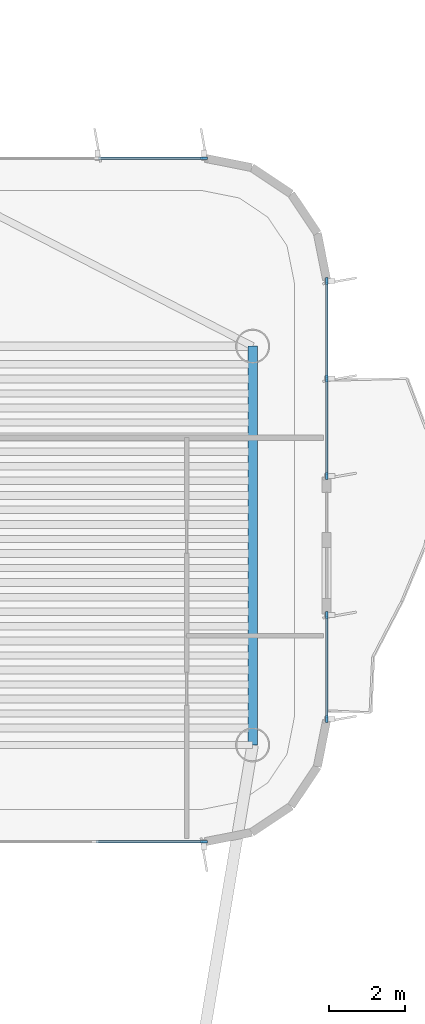
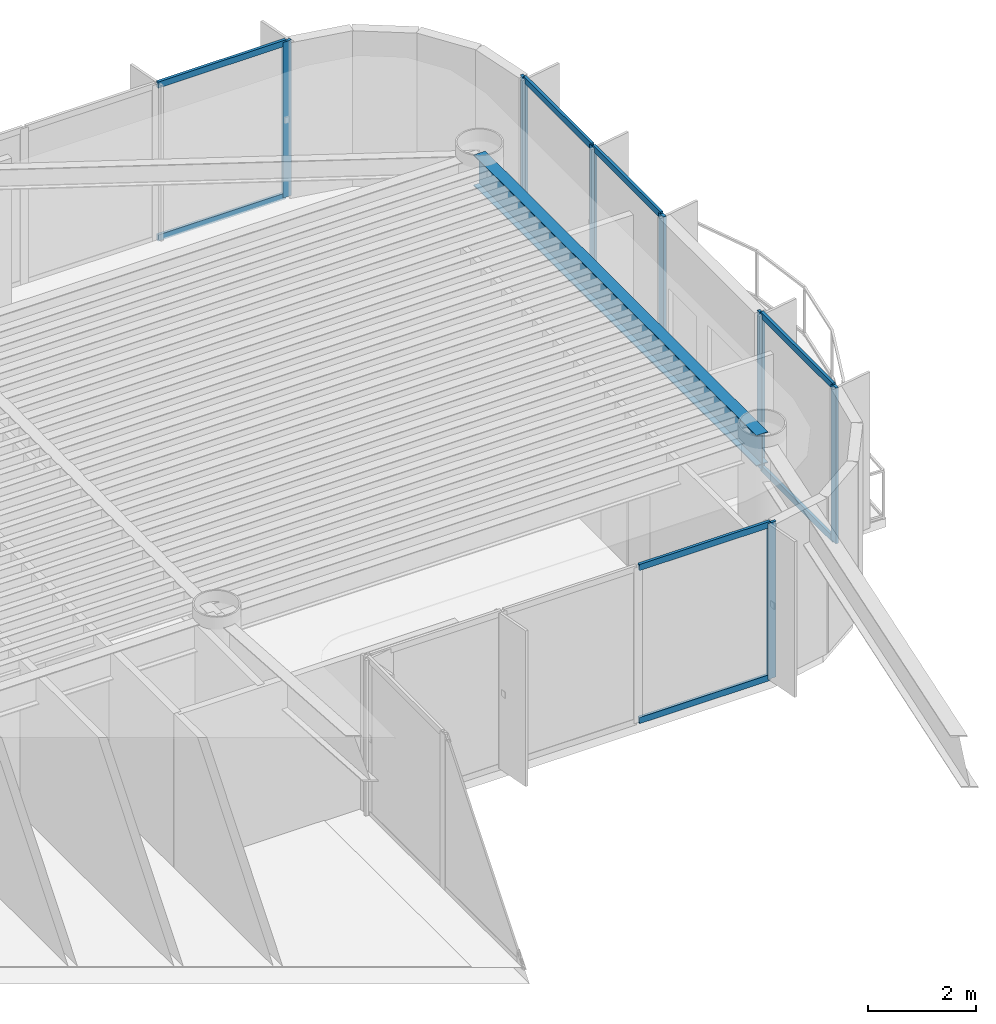
# One storey, part 8 of 15: 17 members, 1 beam, 4 elements without a shape of their own.
"""IFC4 building model written with IfcOpenShell, lengths in metres."""

import ifcopenshell
import ifcopenshell.guid

model = None  # the IFC model being written
_history = None  # IfcOwnerHistory: only IFC2X3 demands one
_inside = {}  # id of a spatial element -> (the spatial element, [elements in it])
_under = {}  # id of a project, library or spatial element -> (it, [spatial elements below it])
_declared = {}  # id of a project -> (the project, [libraries it declares])
_typed = {}  # id of a type object -> (the type object, [elements of that type])
_made_of = {}  # id of a material, layer set ... -> (it, [elements and type objects made of it])


def new_model(schema):
    """Start an empty IFC model of exactly this schema.

    Asked for "IFC4X3", IfcOpenShell would pick the latest addendum, in which some entities
    have other attributes; the version numbers below select the first issue.
    IFC2X3 requires an IfcOwnerHistory on every rooted entity: one is made here for all.
    """
    global model, _history
    if schema == "IFC4X3":
        model = ifcopenshell.file(schema_version=(4, 3, 0, 0))
    else:
        model = ifcopenshell.file(schema=schema)
    _inside.clear()
    _under.clear()
    _declared.clear()
    _typed.clear()
    _made_of.clear()
    _history = None
    if model.schema == "IFC2X3":
        org = make("IfcOrganization", Name="unknown")
        user = make(
            "IfcPersonAndOrganization",
            ThePerson=make("IfcPerson", FamilyName="unknown"),
            TheOrganization=org,
        )
        app = make(
            "IfcApplication",
            ApplicationDeveloper=org,
            Version="unknown",
            ApplicationFullName="unknown",
            ApplicationIdentifier="unknown",
        )
        _history = make(
            "IfcOwnerHistory",
            OwningUser=user,
            OwningApplication=app,
            ChangeAction="ADDED",
            CreationDate=0,
        )
    return model


def make(cls, **values):
    """One entity of the class cls with the attributes given. An attribute that is None is left unset."""
    return model.create_entity(
        cls, **{name: value for name, value in values.items() if value is not None}
    )


def rooted(cls, **values):
    """An entity with a GlobalId (a new one), such as an element, a storey or a relation."""
    return make(cls, GlobalId=ifcopenshell.guid.new(), OwnerHistory=_history, **values)


def si_unit(unit_type, name, prefix=None):
    """IfcSIUnit, for example si_unit("LENGTHUNIT", "METRE", prefix="MILLI")."""
    return make("IfcSIUnit", UnitType=unit_type, Prefix=prefix, Name=name)


def assignment(units):
    """IfcUnitAssignment: the units of a project."""
    return None if units is None else make("IfcUnitAssignment", Units=units)


def point(xyz):
    """IfcCartesianPoint."""
    return None if xyz is None else make("IfcCartesianPoint", Coordinates=xyz)


def direction(xyz):
    """IfcDirection."""
    return None if xyz is None else make("IfcDirection", DirectionRatios=xyz)


def frame(location, z_axis=None, x_axis=None):
    """IfcAxis2Placement3D, a coordinate frame: its origin and axes. An axis left out is left unset."""
    return make(
        "IfcAxis2Placement3D",
        Location=point(location),
        Axis=direction(z_axis),
        RefDirection=direction(x_axis),
    )


def frame_2d(location, x_axis=None):
    """IfcAxis2Placement2D, a coordinate frame in the plane: its origin and x axis."""
    return make(
        "IfcAxis2Placement2D", Location=point(location), RefDirection=direction(x_axis)
    )


def origin():
    """The frame at (0, 0, 0) with its axes left unset."""
    return frame((0.0, 0.0, 0.0))


def origin_2d():
    """The frame at (0, 0) in the plane with its x axis left unset."""
    return frame_2d((0.0, 0.0))


def place(relative_to, where):
    """IfcLocalPlacement: puts the frame where relative to a parent placement (None: the world)."""
    return make(
        "IfcLocalPlacement", PlacementRelTo=relative_to, RelativePlacement=where
    )


def context(
    kind, dimensions, precision=None, world=None, true_north=None, identifier=None
):
    """IfcGeometricRepresentationContext, for example the 3D "Model" context."""
    return make(
        "IfcGeometricRepresentationContext",
        ContextIdentifier=identifier,
        ContextType=kind,
        CoordinateSpaceDimension=dimensions,
        Precision=precision,
        WorldCoordinateSystem=world,
        TrueNorth=true_north,
    )


def subcontext(parent, identifier, kind, view, scale=None):
    """IfcGeometricRepresentationSubContext, for example "Body" below "Model"."""
    return make(
        "IfcGeometricRepresentationSubContext",
        ContextIdentifier=identifier,
        ContextType=kind,
        ParentContext=parent,
        TargetScale=scale,
        TargetView=view,
    )


def project(units=None, contexts=None):
    """IfcProject with its units and contexts."""
    return rooted(
        "IfcProject",
        Name="project",
        RepresentationContexts=contexts,
        UnitsInContext=assignment(units),
    )


def spatial(cls, under=None, at=None, **own):
    """A site, building, storey or space (cls), placed at a placement, below another one or the project."""
    s = rooted(cls, ObjectPlacement=at, **own)
    if under is not None:
        _under.setdefault(under.id(), (under, []))[1].append(s)
    return s


def profile(cls, at=None, kind="AREA", **sizes):
    """A parametric profile (cls). Its sizes go by their IFC names, for example OverallWidth=200.0."""
    return make(cls, ProfileType=kind, Position=at, **sizes)


def rectangle(**sizes):
    """IfcRectangleProfileDef."""
    return profile("IfcRectangleProfileDef", **sizes)


def i_section(**sizes):
    """IfcIShapeProfileDef."""
    return profile("IfcIShapeProfileDef", **sizes)


def extrude(swept, where, along, depth):
    """IfcExtrudedAreaSolid: the profile swept, set in the frame where, extruded along a direction by depth."""
    return make(
        "IfcExtrudedAreaSolid",
        SweptArea=swept,
        Position=where,
        ExtrudedDirection=direction(along),
        Depth=depth,
    )


def shape(context_of_items, identifier, shape_type, items):
    """IfcShapeRepresentation: the items that make up one representation, for example the "Body"."""
    return make(
        "IfcShapeRepresentation",
        ContextOfItems=context_of_items,
        RepresentationIdentifier=identifier,
        RepresentationType=shape_type,
        Items=items,
    )


def source(mapping_origin, context_of_items, identifier, shape_type, items):
    """IfcRepresentationMap: a shape defined once, which mapped items show again and again."""
    return make(
        "IfcRepresentationMap",
        MappingOrigin=mapping_origin,
        MappedRepresentation=shape(context_of_items, identifier, shape_type, items),
    )


def transform(
    local_origin,
    x_axis=None,
    y_axis=None,
    z_axis=None,
    scale=None,
    scale2=None,
    scale3=None,
    uniform=True,
):
    """IfcCartesianTransformationOperator3D, or its non-uniform kind. x_axis, y_axis, z_axis: its Axis1, 2, 3."""
    if uniform:
        return make(
            "IfcCartesianTransformationOperator3D",
            Axis1=direction(x_axis),
            Axis2=direction(y_axis),
            LocalOrigin=point(local_origin),
            Scale=scale,
            Axis3=direction(z_axis),
        )
    return make(
        "IfcCartesianTransformationOperator3DnonUniform",
        Axis1=direction(x_axis),
        Axis2=direction(y_axis),
        LocalOrigin=point(local_origin),
        Scale=scale,
        Axis3=direction(z_axis),
        Scale2=scale2,
        Scale3=scale3,
    )


def mapped(mapping_source, mapping_target):
    """IfcMappedItem: shows the shape of a source again, moved by a transform."""
    return make(
        "IfcMappedItem", MappingSource=mapping_source, MappingTarget=mapping_target
    )


def material(Name=None, Category=None):
    """IfcMaterial."""
    return make("IfcMaterial", Name=Name, Category=Category)


def layer(
    of_material, thickness, ventilated=None, Name=None, Category=None, Priority=None
):
    """IfcMaterialLayer: one layer of a wall or slab, of a material (None: an air gap)."""
    return make(
        "IfcMaterialLayer",
        Material=of_material,
        LayerThickness=thickness,
        IsVentilated=ventilated,
        Name=Name,
        Category=Category,
        Priority=Priority,
    )


def layer_set(layers, Name=None):
    """IfcMaterialLayerSet."""
    return make("IfcMaterialLayerSet", MaterialLayers=layers, LayerSetName=Name)


def material_profile(
    of_material, cross_section, Name=None, Category=None, Priority=None
):
    """IfcMaterialProfile: a cross section and its material."""
    return make(
        "IfcMaterialProfile",
        Name=Name,
        Material=of_material,
        Profile=cross_section,
        Priority=Priority,
        Category=Category,
    )


def profile_set(profiles, Name=None, composite=None):
    """IfcMaterialProfileSet."""
    return make(
        "IfcMaterialProfileSet",
        Name=Name,
        MaterialProfiles=profiles,
        CompositeProfile=composite,
    )


def made_of(thing, what):
    """Note that an element or type object is made of a material, layer set ...; save() writes the relation."""
    if what is not None:
        _made_of.setdefault(what.id(), (what, []))[1].append(thing)
    return thing


def type_object(cls, material=None, **own):
    """A type object (cls), such as IfcWallType, which elements share."""
    return made_of(rooted(cls, **own), material)


def element(
    cls,
    number,
    at=None,
    inside=None,
    cuts=None,
    type_object=None,
    material=None,
    context=None,
    identifier="Body",
    shape_type=None,
    held_by="IfcProductDefinitionShape",
    body=None,
    shapes=None,
    **own,
):
    """One element of the class cls, such as IfcWall. Its Tag is "e" and its number.

    at: its placement. inside: the storey or other place that contains it. cuts: it is an
    opening in that element (IfcRelVoidsElement). A single representation is given by context,
    identifier, shape_type and body (its items); several are given by shapes. held_by: the class
    of the entity that holds the representations. save() writes the other relations.
    """
    e = rooted(cls, Tag="e%d" % number, ObjectPlacement=at, **own)
    if body is not None:
        shapes = [shape(context, identifier, shape_type, body)]
    if shapes is not None:
        e.Representation = make(held_by, Representations=shapes)
    if inside is not None:
        _inside.setdefault(inside.id(), (inside, []))[1].append(e)
    if cuts is not None:
        rooted(
            "IfcRelVoidsElement", RelatingBuildingElement=cuts, RelatedOpeningElement=e
        )
    if type_object is not None:
        _typed.setdefault(type_object.id(), (type_object, []))[1].append(e)
    return made_of(e, material)


def aggregate(whole, parts):
    """IfcRelAggregates: a whole, such as a stair, and the parts it consists of."""
    return rooted("IfcRelAggregates", RelatingObject=whole, RelatedObjects=parts)


def save(model, path):
    """Write the relations noted so far, then the file.

    IfcRelAggregates (storeys below a building ...), IfcRelContainedInSpatialStructure (elements
    in a storey), IfcRelDefinesByType, IfcRelAssociatesMaterial and IfcRelDeclares: one each for
    every whole, place, type object, material and project.
    """
    for whole, parts in _under.values():
        aggregate(whole, parts)
    for where, things in _inside.values():
        rooted(
            "IfcRelContainedInSpatialStructure",
            RelatedElements=things,
            RelatingStructure=where,
        )
    for kind, things in _typed.values():
        rooted("IfcRelDefinesByType", RelatedObjects=things, RelatingType=kind)
    for what, things in _made_of.values():
        rooted("IfcRelAssociatesMaterial", RelatedObjects=things, RelatingMaterial=what)
    for by, libraries in _declared.values():
        rooted("IfcRelDeclares", RelatingContext=by, RelatedDefinitions=libraries)
    model.write(path)


model = new_model("IFC4")

# Units and contexts
model_context = context("Model", 3, precision=1e-05, world=origin(), true_north=direction((0.0, 1.0)))
body_context = subcontext(model_context, "Body", "Model", "MODEL_VIEW")
ifc_project = project(units=[si_unit("LENGTHUNIT", "METRE"), si_unit("AREAUNIT", "SQUARE_METRE"), si_unit("VOLUMEUNIT", "CUBIC_METRE"), si_unit("PLANEANGLEUNIT", "RADIAN"), si_unit("MASSUNIT", "GRAM", prefix="KILO")], contexts=[model_context])

# Site, building, storey
site_placement = place(None, origin())
site = spatial("IfcSite", under=ifc_project, at=site_placement, CompositionType="ELEMENT")
building_placement = place(site_placement, origin())
building = spatial("IfcBuilding", under=site, at=building_placement, Name="Brelvock Crest Care Tower", CompositionType="ELEMENT")
storey_placement = place(building_placement, frame((0.0, 0.0, 272.159912109375)))
storey = spatial("IfcBuildingStorey", under=building, at=storey_placement, Name="L69", CompositionType="ELEMENT", Elevation=272.159912109375)

# Beam
ifc_material_1 = material(Name="Steel Grade 350", Category="steel")
ifc_material_profile_1 = material_profile(ifc_material_1, i_section(OverallWidth=0.25, OverallDepth=0.699951171875, WebThickness=0.011962890625, FlangeThickness=0.02001953125, at=origin_2d()), Name="700WB150")
ifc_profile_set_1 = profile_set([ifc_material_profile_1], Name="Steel Grade 350")
beam_type = type_object("IfcBeamType", Name="BM-G4", PredefinedType="BEAM", material=ifc_profile_set_1)
shared_shape_1 = source(origin(), body_context, "Body", "SweptSolid", [
    extrude(i_section(OverallWidth=0.25, OverallDepth=0.699951171875, WebThickness=0.011962890625, FlangeThickness=0.02001953125, at=origin_2d()), origin(), (0.0, 0.0, 1.0), 10.5),
])
beam_placement = place(storey_placement, frame((52.35009765625, 43.949951171875, 3.18017578125), z_axis=(0.0, 1.0, 0.0), x_axis=(-1.0, 0.0, 0.0)))
element("IfcBeam", 1, at=beam_placement, inside=storey, type_object=beam_type, Name="BM-TWR-L69-02", PredefinedType="BEAM", context=body_context, shape_type="MappedRepresentation", body=[
    mapped(shared_shape_1, transform((0.0, 0.0, 0.0), x_axis=(1.0, 0.0, 0.0), y_axis=(0.0, 1.0, 0.0), z_axis=(0.0, 0.0, 1.0), scale=1.0)),
])

# Curtain wall, member
ifc_material_2 = material(Name="Dark Glass Double Glazed Low-E", Category="glass")
ifc_layer = layer(ifc_material_2, 0.239990234375, Name="CWS-5")
ifc_layer_set = layer_set([ifc_layer], Name="Dark Glass Double Glazed Low-E")
curtain_wall_type = type_object("IfcCurtainWallType", Name="CWS-5", PredefinedType="NOTDEFINED", material=ifc_layer_set)
curtain_wall_1_placement = place(storey_placement, origin())
curtain_wall_1 = element("IfcCurtainWall", 2, at=curtain_wall_1_placement, inside=storey, type_object=curtain_wall_type, Name="L69 Curtain Wall E34", PredefinedType="NOTDEFINED")
ifc_material_3 = material(Name="Aluminium 6063-T6", Category="aluminium")
ifc_material_profile_2 = material_profile(ifc_material_3, rectangle(XDim=0.06005859375, YDim=0.179931640625, at=origin_2d()), Name="ALU60x180")
ifc_profile_set_2 = profile_set([ifc_material_profile_2], Name="Aluminium 6063-T6")
member_type_1 = type_object("IfcMemberType", Name="CWM-2", PredefinedType="MULLION", material=ifc_profile_set_2)
shared_shape_2 = source(origin(), body_context, "Body", "SweptSolid", [
    extrude(rectangle(XDim=0.06005859375, YDim=0.179931640625, at=origin_2d()), origin(), (0.0, 0.0, 1.0), 3.530029296875),
])
member_1_placement = place(storey_placement, frame((51.070068359375, 59.39990234375, 0.0), z_axis=(0.0, 0.0, 1.0), x_axis=(0.0, 1.0, 0.0)))
member_1 = element("IfcMember", 3, at=member_1_placement, type_object=member_type_1, Name="CW-5 mullion 4", PredefinedType="MULLION", context=body_context, shape_type="MappedRepresentation", body=[
    mapped(shared_shape_2, transform((0.0, 0.0, 0.0), x_axis=(1.0, 0.0, 0.0), y_axis=(0.0, 1.0, 0.0), z_axis=(0.0, 0.0, 1.0), scale=1.0)),
])

# Curtain wall, members
curtain_wall_2_placement = place(storey_placement, origin())
curtain_wall_2 = element("IfcCurtainWall", 4, at=curtain_wall_2_placement, inside=storey, type_object=curtain_wall_type, Name="L69 Curtain Wall E39A", PredefinedType="NOTDEFINED")
member_2_placement = place(storey_placement, frame((54.300048828125, 56.169921875, 0.0), z_axis=(0.0, 0.0, 1.0), x_axis=(1.0, 0.0, 0.0)))
member_2 = element("IfcMember", 5, at=member_2_placement, type_object=member_type_1, Name="CW-5 mullion 1", PredefinedType="MULLION", context=body_context, shape_type="MappedRepresentation", body=[
    mapped(shared_shape_2, transform((0.0, 0.0, 0.0), x_axis=(1.0, 0.0, 0.0), y_axis=(0.0, 1.0, 0.0), z_axis=(0.0, 0.0, 1.0), scale=1.0)),
])
member_3_placement = place(storey_placement, frame((54.300048828125, 53.60009765625, 0.0), z_axis=(0.0, 0.0, 1.0), x_axis=(1.0, 0.0, 0.0)))
member_3 = element("IfcMember", 6, at=member_3_placement, type_object=member_type_1, Name="CW-5 mullion 2", PredefinedType="MULLION", context=body_context, shape_type="MappedRepresentation", body=[
    mapped(shared_shape_2, transform((0.0, 0.0, 0.0), x_axis=(1.0, 0.0, 0.0), y_axis=(0.0, 1.0, 0.0), z_axis=(0.0, 0.0, 1.0), scale=1.0)),
])
member_4_placement = place(storey_placement, frame((54.300048828125, 51.030029296875, 0.0), z_axis=(0.0, 0.0, 1.0), x_axis=(1.0, 0.0, 0.0)))
member_4 = element("IfcMember", 7, at=member_4_placement, type_object=member_type_1, Name="CW-5 mullion 3", PredefinedType="MULLION", context=body_context, shape_type="MappedRepresentation", body=[
    mapped(shared_shape_2, transform((0.0, 0.0, 0.0), x_axis=(1.0, 0.0, 0.0), y_axis=(0.0, 1.0, 0.0), z_axis=(0.0, 0.0, 1.0), scale=1.0)),
])

curtain_wall_3_placement = place(storey_placement, origin())
curtain_wall_3 = element("IfcCurtainWall", 8, at=curtain_wall_3_placement, inside=storey, type_object=curtain_wall_type, Name="L69 Curtain Wall E39B", PredefinedType="NOTDEFINED")
member_5_placement = place(storey_placement, frame((54.300048828125, 47.3701171875, 0.0), z_axis=(0.0, 0.0, 1.0), x_axis=(1.0, 0.0, 0.0)))
member_5 = element("IfcMember", 9, at=member_5_placement, type_object=member_type_1, Name="CW-5 mullion 1", PredefinedType="MULLION", context=body_context, shape_type="MappedRepresentation", body=[
    mapped(shared_shape_2, transform((0.0, 0.0, 0.0), x_axis=(1.0, 0.0, 0.0), y_axis=(0.0, 1.0, 0.0), z_axis=(0.0, 0.0, 1.0), scale=1.0)),
])
member_6_placement = place(storey_placement, frame((54.300048828125, 44.6298828125, 0.0), z_axis=(0.0, 0.0, 1.0), x_axis=(1.0, 0.0, 0.0)))
member_6 = element("IfcMember", 10, at=member_6_placement, type_object=member_type_1, Name="CW-5 mullion 2", PredefinedType="MULLION", context=body_context, shape_type="MappedRepresentation", body=[
    mapped(shared_shape_2, transform((0.0, 0.0, 0.0), x_axis=(1.0, 0.0, 0.0), y_axis=(0.0, 1.0, 0.0), z_axis=(0.0, 0.0, 1.0), scale=1.0)),
])

# Curtain wall, member
curtain_wall_4_placement = place(storey_placement, origin())
curtain_wall_4 = element("IfcCurtainWall", 11, at=curtain_wall_4_placement, inside=storey, type_object=curtain_wall_type, Name="L69 Curtain Wall E44", PredefinedType="NOTDEFINED")
member_7_placement = place(storey_placement, frame((51.070068359375, 41.39990234375, 0.0), z_axis=(0.0, 0.0, 1.0), x_axis=(0.0, -1.0, 0.0)))
member_7 = element("IfcMember", 12, at=member_7_placement, type_object=member_type_1, Name="CW-5 mullion 1", PredefinedType="MULLION", context=body_context, shape_type="MappedRepresentation", body=[
    mapped(shared_shape_2, transform((0.0, 0.0, 0.0), x_axis=(1.0, 0.0, 0.0), y_axis=(0.0, 1.0, 0.0), z_axis=(0.0, 0.0, 1.0), scale=1.0)),
])

# Member
ifc_material_profile_3 = material_profile(ifc_material_3, rectangle(XDim=0.06005859375, YDim=0.139892578125, at=origin_2d()), Name="ALU60x140")
ifc_profile_set_3 = profile_set([ifc_material_profile_3], Name="Aluminium 6063-T6")
member_type_2 = type_object("IfcMemberType", Name="CWT-2", PredefinedType="USERDEFINED", material=ifc_profile_set_3)
shared_shape_3 = source(origin(), body_context, "Body", "SweptSolid", [
    extrude(rectangle(XDim=0.06005859375, YDim=0.139892578125, at=origin_2d()), origin(), (0.0, 0.0, 1.0), 2.510009765625),
])
member_8_placement = place(storey_placement, frame((54.300048828125, 56.139892578125, 0.030029296875), z_axis=(0.0, -1.0, 0.0), x_axis=(1.0, 0.0, 0.0)))
member_8 = element("IfcMember", 13, at=member_8_placement, type_object=member_type_2, Name="CW-5 transom 1.1", ObjectType="TRANSOM", PredefinedType="USERDEFINED", context=body_context, shape_type="MappedRepresentation", body=[
    mapped(shared_shape_3, transform((0.0, 0.0, 0.0), x_axis=(1.0, 0.0, 0.0), y_axis=(0.0, 1.0, 0.0), z_axis=(0.0, 0.0, 1.0), scale=1.0)),
])

member_9_placement = place(storey_placement, frame((54.300048828125, 56.139892578125, 3.5), z_axis=(0.0, -1.0, 0.0), x_axis=(1.0, 0.0, 0.0)))
member_9 = element("IfcMember", 14, at=member_9_placement, type_object=member_type_2, Name="CW-5 transom 1.2", ObjectType="TRANSOM", PredefinedType="USERDEFINED", context=body_context, shape_type="MappedRepresentation", body=[
    mapped(shared_shape_3, transform((0.0, 0.0, 0.0), x_axis=(1.0, 0.0, 0.0), y_axis=(0.0, 1.0, 0.0), z_axis=(0.0, 0.0, 1.0), scale=1.0)),
])

member_10_placement = place(storey_placement, frame((54.300048828125, 53.570068359375, 0.030029296875), z_axis=(0.0, -1.0, 0.0), x_axis=(1.0, 0.0, 0.0)))
member_10 = element("IfcMember", 15, at=member_10_placement, type_object=member_type_2, Name="CW-5 transom 2.1", ObjectType="TRANSOM", PredefinedType="USERDEFINED", context=body_context, shape_type="MappedRepresentation", body=[
    mapped(shared_shape_3, transform((0.0, 0.0, 0.0), x_axis=(1.0, 0.0, 0.0), y_axis=(0.0, 1.0, 0.0), z_axis=(0.0, 0.0, 1.0), scale=1.0)),
])

member_11_placement = place(storey_placement, frame((54.300048828125, 53.570068359375, 3.5), z_axis=(0.0, -1.0, 0.0), x_axis=(1.0, 0.0, 0.0)))
member_11 = element("IfcMember", 16, at=member_11_placement, type_object=member_type_2, Name="CW-5 transom 2.2", ObjectType="TRANSOM", PredefinedType="USERDEFINED", context=body_context, shape_type="MappedRepresentation", body=[
    mapped(shared_shape_3, transform((0.0, 0.0, 0.0), x_axis=(1.0, 0.0, 0.0), y_axis=(0.0, 1.0, 0.0), z_axis=(0.0, 0.0, 1.0), scale=1.0)),
])

aggregate(curtain_wall_2, [member_2, member_3, member_4, member_8, member_9, member_10, member_11])

shared_shape_4 = source(origin(), body_context, "Body", "SweptSolid", [
    extrude(rectangle(XDim=0.06005859375, YDim=0.139892578125, at=origin_2d()), origin(), (0.0, 0.0, 1.0), 2.81005859375),
])
member_12_placement = place(storey_placement, frame((51.0400390625, 41.39990234375, 0.030029296875), z_axis=(-1.0, 0.0, 0.0), x_axis=(0.0, -1.0, 0.0)))
member_12 = element("IfcMember", 17, at=member_12_placement, type_object=member_type_2, Name="CW-5 transom 1.1", ObjectType="TRANSOM", PredefinedType="USERDEFINED", context=body_context, shape_type="MappedRepresentation", body=[
    mapped(shared_shape_4, transform((0.0, 0.0, 0.0), x_axis=(1.0, 0.0, 0.0), y_axis=(0.0, 1.0, 0.0), z_axis=(0.0, 0.0, 1.0), scale=1.0)),
])

member_13_placement = place(storey_placement, frame((51.0400390625, 41.39990234375, 3.5), z_axis=(-1.0, 0.0, 0.0), x_axis=(0.0, -1.0, 0.0)))
member_13 = element("IfcMember", 18, at=member_13_placement, type_object=member_type_2, Name="CW-5 transom 1.2", ObjectType="TRANSOM", PredefinedType="USERDEFINED", context=body_context, shape_type="MappedRepresentation", body=[
    mapped(shared_shape_4, transform((0.0, 0.0, 0.0), x_axis=(1.0, 0.0, 0.0), y_axis=(0.0, 1.0, 0.0), z_axis=(0.0, 0.0, 1.0), scale=1.0)),
])

aggregate(curtain_wall_4, [member_7, member_12, member_13])

shared_shape_5 = source(origin(), body_context, "Body", "SweptSolid", [
    extrude(rectangle(XDim=0.06005859375, YDim=0.139892578125, at=origin_2d()), origin(), (0.0, 0.0, 1.0), 2.743408203125),
])
member_14_placement = place(storey_placement, frame((48.296630859375, 59.39990234375, 0.030029296875), z_axis=(1.0, 0.0, 0.0), x_axis=(0.0, 1.0, 0.0)))
member_14 = element("IfcMember", 19, at=member_14_placement, type_object=member_type_2, Name="CW-5 transom 3.1", ObjectType="TRANSOM", PredefinedType="USERDEFINED", context=body_context, shape_type="MappedRepresentation", body=[
    mapped(shared_shape_5, transform((0.0, 0.0, 0.0), x_axis=(1.0, 0.0, 0.0), y_axis=(0.0, 1.0, 0.0), z_axis=(0.0, 0.0, 1.0), scale=1.0)),
])

member_15_placement = place(storey_placement, frame((48.296630859375, 59.39990234375, 3.5), z_axis=(1.0, 0.0, 0.0), x_axis=(0.0, 1.0, 0.0)))
member_15 = element("IfcMember", 20, at=member_15_placement, type_object=member_type_2, Name="CW-5 transom 3.2", ObjectType="TRANSOM", PredefinedType="USERDEFINED", context=body_context, shape_type="MappedRepresentation", body=[
    mapped(shared_shape_5, transform((0.0, 0.0, 0.0), x_axis=(1.0, 0.0, 0.0), y_axis=(0.0, 1.0, 0.0), z_axis=(0.0, 0.0, 1.0), scale=1.0)),
])

aggregate(curtain_wall_1, [member_1, member_14, member_15])

shared_shape_6 = source(origin(), body_context, "Body", "SweptSolid", [
    extrude(rectangle(XDim=0.06005859375, YDim=0.139892578125, at=origin_2d()), origin(), (0.0, 0.0, 1.0), 2.68017578125),
])
member_16_placement = place(storey_placement, frame((54.300048828125, 47.340087890625, 0.030029296875), z_axis=(0.0, -1.0, 0.0), x_axis=(1.0, 0.0, 0.0)))
member_16 = element("IfcMember", 21, at=member_16_placement, type_object=member_type_2, Name="CW-5 transom 1.1", ObjectType="TRANSOM", PredefinedType="USERDEFINED", context=body_context, shape_type="MappedRepresentation", body=[
    mapped(shared_shape_6, transform((0.0, 0.0, 0.0), x_axis=(1.0, 0.0, 0.0), y_axis=(0.0, 1.0, 0.0), z_axis=(0.0, 0.0, 1.0), scale=1.0)),
])

member_17_placement = place(storey_placement, frame((54.300048828125, 47.340087890625, 3.5), z_axis=(0.0, -1.0, 0.0), x_axis=(1.0, 0.0, 0.0)))
member_17 = element("IfcMember", 22, at=member_17_placement, type_object=member_type_2, Name="CW-5 transom 1.2", ObjectType="TRANSOM", PredefinedType="USERDEFINED", context=body_context, shape_type="MappedRepresentation", body=[
    mapped(shared_shape_6, transform((0.0, 0.0, 0.0), x_axis=(1.0, 0.0, 0.0), y_axis=(0.0, 1.0, 0.0), z_axis=(0.0, 0.0, 1.0), scale=1.0)),
])

aggregate(curtain_wall_3, [member_5, member_6, member_16, member_17])

save(model, "model.ifc")
